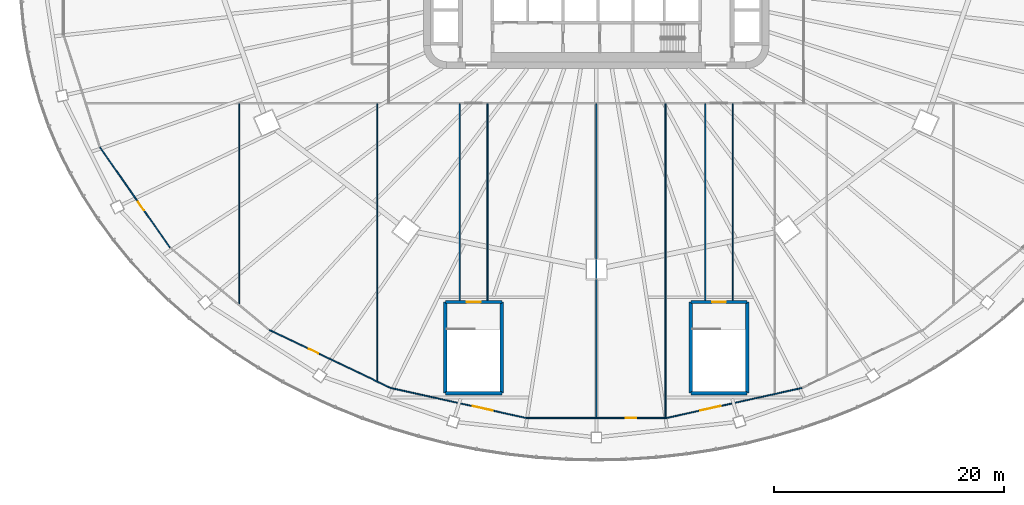
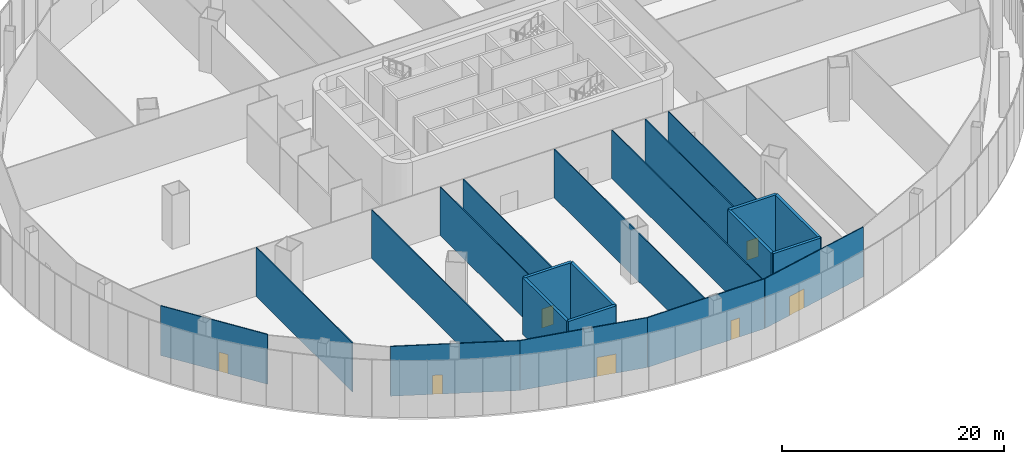
# One storey, part 19 of 33: 21 walls, 7 doors, 7 openings.
"""IFC4 building model written with IfcOpenShell, lengths in metres."""

from ifc_helpers import new_model, si_unit, direction, frame, frame_2d, origin, place, context, subcontext, project, spatial, rectangle, extrude, material, layer, layer_set, type_object, element, fill, save


model = new_model("IFC4")

# Units and contexts
model_context = context("Model", 3, precision=1e-05, world=origin(), true_north=direction((0.0, 1.0)))
body_context = subcontext(model_context, "Body", "Model", "MODEL_VIEW")
ifc_project = project(units=[si_unit("LENGTHUNIT", "METRE"), si_unit("AREAUNIT", "SQUARE_METRE"), si_unit("VOLUMEUNIT", "CUBIC_METRE"), si_unit("PLANEANGLEUNIT", "RADIAN"), si_unit("MASSUNIT", "GRAM", prefix="KILO")], contexts=[model_context])

# Site, building, storey
site_placement = place(None, origin())
site = spatial("IfcSite", under=ifc_project, at=site_placement, CompositionType="ELEMENT")
building_placement = place(site_placement, origin())
building = spatial("IfcBuilding", under=site, at=building_placement, Name="Sahrelin Media Tower", CompositionType="ELEMENT")
storey_placement = place(building_placement, frame((0.0, 0.0, 37.39990234375)))
storey = spatial("IfcBuildingStorey", under=building, at=storey_placement, Name="L05", CompositionType="ELEMENT", Elevation=37.39990234375)

# Wall, opening, door
ifc_material_1 = material(Name="Gypsum board partition")
ifc_layer_1 = layer(ifc_material_1, 0.10009765625)
ifc_layer_set_1 = layer_set([ifc_layer_1], Name="Partition 100")
wall_type_1 = type_object("IfcWallType", Name="Partition 100", PredefinedType="PARTITIONING", material=ifc_layer_set_1)
wall_1_placement = place(storey_placement, frame((-43.09912109375, -14.790771484375, 0.0), z_axis=(0.0, 0.0, 1.0), x_axis=(0.571737958261, -0.820436290692, 0.0)))
wall_1 = element("IfcWall", 1, at=wall_1_placement, inside=storey, type_object=wall_type_1, Name="Wall", PredefinedType="PARTITIONING", context=body_context, shape_type="SweptSolid", body=[
    extrude(rectangle(XDim=10.650146484375, YDim=0.10009765625, at=frame_2d((5.3251953125, 0.0))), origin(), (0.0, 0.0, 1.0), 5.47607421875),
])
opening_1_placement = place(wall_1_placement, frame((5.7900390625, 0.0, 0.0)))
opening_1 = element("IfcOpeningElement", 2, at=opening_1_placement, cuts=wall_1, Name="Opening L05-D35", PredefinedType="OPENING", context=body_context, shape_type="SweptSolid", body=[
    extrude(rectangle(XDim=0.89990234375, YDim=2.10009765625, at=frame_2d((0.449951171875, 1.050048828125))), frame((0.0, 0.050048828125, 0.0), z_axis=(0.0, -1.0, 0.0), x_axis=(1.0, 0.0, 0.0)), (0.0, 0.0, 1.0), 0.10009765625),
])
ifc_material_2 = material(Name="Timber door leaf", Category="wood")
door_type_1 = type_object("IfcDoorType", Name="Single door 900 x 2100", OperationType="NOTDEFINED", PredefinedType="DOOR", material=ifc_material_2)
door_1_placement = place(opening_1_placement, origin())
door_1 = element("IfcDoor", 3, at=door_1_placement, inside=storey, type_object=door_type_1, Name="Single door", OperationType="SINGLE_SWING_RIGHT", OverallHeight=2.10009765625, OverallWidth=0.89990234375, PredefinedType="DOOR", context=body_context, shape_type="SweptSolid", body=[
    extrude(rectangle(XDim=0.89990234375, YDim=2.10009765625, at=frame_2d((0.449951171875, 1.050048828125))), frame((0.0, 0.02490234375, 0.0), z_axis=(0.0, -1.0, 0.0), x_axis=(1.0, 0.0, 0.0)), (0.0, 0.0, 1.0), 0.050048828125),
])
fill(opening_1, door_1)

wall_2_placement = place(storey_placement, frame((-28.398681640625, -30.6630859375, 0.0), z_axis=(0.0, 0.0, 1.0), x_axis=(0.902100999032, -0.431524955878, 0.0)))
wall_2 = element("IfcWall", 4, at=wall_2_placement, inside=storey, type_object=wall_type_1, Name="Wall", PredefinedType="PARTITIONING", context=body_context, shape_type="SweptSolid", body=[
    extrude(rectangle(XDim=11.69091796875, YDim=0.10009765625, at=frame_2d((5.845458984375, 0.0))), origin(), (0.0, 0.0, 1.0), 5.47607421875),
])
opening_2_placement = place(wall_2_placement, frame((3.820068359375, 0.0, 0.0)))
opening_2 = element("IfcOpeningElement", 5, at=opening_2_placement, cuts=wall_2, Name="Opening L05-D36", PredefinedType="OPENING", context=body_context, shape_type="SweptSolid", body=[
    extrude(rectangle(XDim=0.89990234375, YDim=2.10009765625, at=frame_2d((0.449951171875, 1.050048828125))), frame((0.0, 0.050048828125, 0.0), z_axis=(0.0, -1.0, 0.0), x_axis=(1.0, 0.0, 0.0)), (0.0, 0.0, 1.0), 0.10009765625),
])
door_2_placement = place(opening_2_placement, origin())
door_2 = element("IfcDoor", 6, at=door_2_placement, inside=storey, type_object=door_type_1, Name="Single door", OperationType="SINGLE_SWING_LEFT", OverallHeight=2.10009765625, OverallWidth=0.89990234375, PredefinedType="DOOR", context=body_context, shape_type="SweptSolid", body=[
    extrude(rectangle(XDim=0.89990234375, YDim=2.10009765625, at=frame_2d((0.449951171875, 1.050048828125))), frame((0.0, 0.02490234375, 0.0), z_axis=(0.0, -1.0, 0.0), x_axis=(1.0, 0.0, 0.0)), (0.0, 0.0, 1.0), 0.050048828125),
])
fill(opening_2, door_2)

wall_3_placement = place(storey_placement, frame((-17.852294921875, -35.7080078125, 0.0), z_axis=(0.0, 0.0, 1.0), x_axis=(0.97623471049, -0.216715920124, 0.0)))
wall_3 = element("IfcWall", 7, at=wall_3_placement, inside=storey, type_object=wall_type_1, Name="Wall", PredefinedType="PARTITIONING", context=body_context, shape_type="SweptSolid", body=[
    extrude(rectangle(XDim=12.049560546875, YDim=0.10009765625, at=frame_2d((6.02490234375, 0.0))), origin(), (0.0, 0.0, 1.0), 5.47607421875),
])
opening_3_placement = place(wall_3_placement, frame((7.2958984375, 0.0, 0.0)))
opening_3 = element("IfcOpeningElement", 8, at=opening_3_placement, cuts=wall_3, Name="Opening L05-D38", PredefinedType="OPENING", context=body_context, shape_type="SweptSolid", body=[
    extrude(rectangle(XDim=1.800048828125, YDim=2.10009765625, at=frame_2d((0.89990234375, 1.050048828125))), frame((0.0, 0.050048828125, 0.0), z_axis=(0.0, -1.0, 0.0), x_axis=(1.0, 0.0, 0.0)), (0.0, 0.0, 1.0), 0.10009765625),
])
door_type_2 = type_object("IfcDoorType", Name="Double door 1800 x 2100", OperationType="DOUBLE_DOOR_SINGLE_SWING", PredefinedType="DOOR", material=ifc_material_2)
door_3_placement = place(opening_3_placement, origin())
door_3 = element("IfcDoor", 9, at=door_3_placement, inside=storey, type_object=door_type_2, Name="Double door", OperationType="DOUBLE_DOOR_SINGLE_SWING", OverallHeight=2.10009765625, OverallWidth=1.800048828125, PredefinedType="DOOR", context=body_context, shape_type="SweptSolid", body=[
    extrude(rectangle(XDim=1.800048828125, YDim=2.10009765625, at=frame_2d((0.89990234375, 1.050048828125))), frame((0.0, 0.02490234375, 0.0), z_axis=(0.0, -1.0, 0.0), x_axis=(1.0, 0.0, 0.0)), (0.0, 0.0, 1.0), 0.050048828125),
])
fill(opening_3, door_3)

wall_4_placement = place(storey_placement, frame((-6.089111328125, -38.3193359375, 0.0), z_axis=(0.0, 0.0, 1.0), x_axis=(1.0, 0.0, 0.0)))
wall_4 = element("IfcWall", 10, at=wall_4_placement, inside=storey, type_object=wall_type_1, Name="Wall", PredefinedType="PARTITIONING", context=body_context, shape_type="SweptSolid", body=[
    extrude(rectangle(XDim=12.17822265625, YDim=0.10009765625, at=frame_2d((6.089111328125, 0.0))), origin(), (0.0, 0.0, 1.0), 5.47607421875),
])
opening_4_placement = place(wall_4_placement, frame((8.64990234375, 0.0, 0.0)))
opening_4 = element("IfcOpeningElement", 11, at=opening_4_placement, cuts=wall_4, Name="Opening L05-D40", PredefinedType="OPENING", context=body_context, shape_type="SweptSolid", body=[
    extrude(rectangle(XDim=0.89990234375, YDim=2.10009765625, at=frame_2d((0.449951171875, 1.050048828125))), frame((0.0, 0.050048828125, 0.0), z_axis=(0.0, -1.0, 0.0), x_axis=(1.0, 0.0, 0.0)), (0.0, 0.0, 1.0), 0.10009765625),
])
door_4_placement = place(opening_4_placement, origin())
door_4 = element("IfcDoor", 12, at=door_4_placement, inside=storey, type_object=door_type_1, Name="Single door", OperationType="SINGLE_SWING_RIGHT", OverallHeight=2.10009765625, OverallWidth=0.89990234375, PredefinedType="DOOR", context=body_context, shape_type="SweptSolid", body=[
    extrude(rectangle(XDim=0.89990234375, YDim=2.10009765625, at=frame_2d((0.449951171875, 1.050048828125))), frame((0.0, 0.02490234375, 0.0), z_axis=(0.0, -1.0, 0.0), x_axis=(1.0, 0.0, 0.0)), (0.0, 0.0, 1.0), 0.050048828125),
])
fill(opening_4, door_4)

wall_5_placement = place(storey_placement, frame((6.089111328125, -38.3193359375, 0.0), z_axis=(0.0, 0.0, 1.0), x_axis=(0.97623471049, 0.216715920124, 0.0)))
wall_5 = element("IfcWall", 13, at=wall_5_placement, inside=storey, type_object=wall_type_1, Name="Wall", PredefinedType="PARTITIONING", context=body_context, shape_type="SweptSolid", body=[
    extrude(rectangle(XDim=12.049560546875, YDim=0.10009765625, at=frame_2d((6.02490234375, 0.0))), origin(), (0.0, 0.0, 1.0), 5.47607421875),
])
opening_5_placement = place(wall_5_placement, frame((3.0, 0.0, 0.0)))
opening_5 = element("IfcOpeningElement", 14, at=opening_5_placement, cuts=wall_5, Name="Opening L05-D42", PredefinedType="OPENING", context=body_context, shape_type="SweptSolid", body=[
    extrude(rectangle(XDim=1.800048828125, YDim=2.10009765625, at=frame_2d((0.89990234375, 1.050048828125))), frame((0.0, 0.050048828125, 0.0), z_axis=(0.0, -1.0, 0.0), x_axis=(1.0, 0.0, 0.0)), (0.0, 0.0, 1.0), 0.10009765625),
])
door_5_placement = place(opening_5_placement, origin())
door_5 = element("IfcDoor", 15, at=door_5_placement, inside=storey, type_object=door_type_2, Name="Double door", OperationType="DOUBLE_DOOR_SINGLE_SWING", OverallHeight=2.10009765625, OverallWidth=1.800048828125, PredefinedType="DOOR", context=body_context, shape_type="SweptSolid", body=[
    extrude(rectangle(XDim=1.800048828125, YDim=2.10009765625, at=frame_2d((0.89990234375, 1.050048828125))), frame((0.0, 0.02490234375, 0.0), z_axis=(0.0, -1.0, 0.0), x_axis=(1.0, 0.0, 0.0)), (0.0, 0.0, 1.0), 0.050048828125),
])
fill(opening_5, door_5)

# Walls
wall_6_placement = place(storey_placement, frame((-31.0, -11.050048828125, 0.0), z_axis=(0.0, 0.0, 1.0), x_axis=(0.0, -1.0, 0.0)))
element("IfcWall", 16, at=wall_6_placement, inside=storey, type_object=wall_type_1, Name="Wall", PredefinedType="PARTITIONING", context=body_context, shape_type="SweptSolid", body=[
    extrude(rectangle(XDim=17.3515625, YDim=0.10009765625, at=frame_2d((8.67578125, 0.0))), origin(), (0.0, 0.0, 1.0), 5.39501953125),
])
wall_7_placement = place(storey_placement, frame((-19.0, -11.050048828125, 0.0), z_axis=(0.0, 0.0, 1.0), x_axis=(0.0, -1.0, 0.0)))
element("IfcWall", 17, at=wall_7_placement, inside=storey, type_object=wall_type_1, Name="Wall", PredefinedType="PARTITIONING", context=body_context, shape_type="SweptSolid", body=[
    extrude(rectangle(XDim=24.029541015625, YDim=0.10009765625, at=frame_2d((12.0146484375, 0.0))), origin(), (0.0, 0.0, 1.0), 5.3271484375),
])
wall_8_placement = place(storey_placement, frame((0.0, -11.050048828125, 0.0), z_axis=(0.0, 0.0, 1.0), x_axis=(0.0, -1.0, 0.0)))
element("IfcWall", 18, at=wall_8_placement, inside=storey, type_object=wall_type_1, Name="Wall", PredefinedType="PARTITIONING", context=body_context, shape_type="SweptSolid", body=[
    extrude(rectangle(XDim=27.21923828125, YDim=0.10009765625, at=frame_2d((13.609619140625, 0.0))), origin(), (0.0, 0.0, 1.0), 5.3271484375),
])
wall_9_placement = place(storey_placement, frame((6.0, -11.050048828125, 0.0), z_axis=(0.0, 0.0, 1.0), x_axis=(0.0, -1.0, 0.0)))
element("IfcWall", 19, at=wall_9_placement, inside=storey, type_object=wall_type_1, Name="Wall", PredefinedType="PARTITIONING", context=body_context, shape_type="SweptSolid", body=[
    extrude(rectangle(XDim=27.21923828125, YDim=0.10009765625, at=frame_2d((13.609619140625, 0.0))), origin(), (0.0, 0.0, 1.0), 5.318359375),
])
for number, where, z_axis, x_axis, name in (
    (20, (-11.85009765625, -11.050048828125, 0.0), (0.0, 0.0, 1.0), (0.0, -1.0, 0.0), "Wall"),
    (21, (-9.449951171875, -11.050048828125, 0.0), (0.0, 0.0, 1.0), (0.0, -1.0, 0.0), "Wall"),
    (22, (9.449951171875, -11.050048828125, 0.0), (0.0, 0.0, 1.0), (0.0, -1.0, 0.0), "Wall"),
    (23, (11.85009765625, -11.050048828125, 0.0), (0.0, 0.0, 1.0), (0.0, -1.0, 0.0), "Wall"),
):
    element("IfcWall", number, at=place(storey_placement, frame(where, z_axis=z_axis, x_axis=x_axis)), inside=storey, type_object=wall_type_1, Name=name, PredefinedType="PARTITIONING", context=body_context, shape_type="SweptSolid", body=[
        extrude(rectangle(XDim=17.050048828125, YDim=0.10009765625, at=frame_2d((8.52490234375, 0.0))), origin(), (0.0, 0.0, 1.0), 5.318359375),
    ])
ifc_material_3 = material(Name="Concrete C60/75", Category="concrete")
ifc_layer_2 = layer(ifc_material_3, 0.300048828125)
ifc_layer_set_2 = layer_set([ifc_layer_2], Name="Stair enclosure wall 300")
wall_type_2 = type_object("IfcWallType", Name="Stair enclosure wall 300", PredefinedType="SOLIDWALL", material=ifc_layer_set_2)
wall_10_placement = place(storey_placement, frame((-8.199951171875, -36.14990234375, 0.0), z_axis=(0.0, 0.0, 1.0), x_axis=(-1.0, 0.0, 0.0)))
element("IfcWall", 24, at=wall_10_placement, inside=storey, type_object=wall_type_2, Name="Stair PS3", PredefinedType="SOLIDWALL", context=body_context, shape_type="SweptSolid", body=[
    extrude(rectangle(XDim=4.900146484375, YDim=0.300048828125, at=frame_2d((2.4501953125, 0.0))), origin(), (0.0, 0.0, 1.0), 6.25),
])
wall_11_placement = place(storey_placement, frame((-13.10009765625, -36.14990234375, 0.0), z_axis=(0.0, 0.0, 1.0), x_axis=(0.0, 1.0, 0.0)))
element("IfcWall", 25, at=wall_11_placement, inside=storey, type_object=wall_type_2, Name="Stair PS3", PredefinedType="SOLIDWALL", context=body_context, shape_type="SweptSolid", body=[
    extrude(rectangle(XDim=7.89990234375, YDim=0.300048828125, at=frame_2d((3.949951171875, 0.0))), origin(), (0.0, 0.0, 1.0), 6.25),
])

# Wall, opening, door
wall_12_placement = place(storey_placement, frame((-13.10009765625, -28.25, 0.0), z_axis=(0.0, 0.0, 1.0), x_axis=(1.0, 0.0, 0.0)))
wall_12 = element("IfcWall", 26, at=wall_12_placement, inside=storey, type_object=wall_type_2, Name="Stair PS3", PredefinedType="SOLIDWALL", context=body_context, shape_type="SweptSolid", body=[
    extrude(rectangle(XDim=4.900146484375, YDim=0.300048828125, at=frame_2d((2.4501953125, 0.0))), origin(), (0.0, 0.0, 1.0), 6.25),
])
opening_6_placement = place(wall_12_placement, frame((1.85009765625, 0.0, 0.0)))
opening_6 = element("IfcOpeningElement", 27, at=opening_6_placement, cuts=wall_12, Name="Opening L05-D58", PredefinedType="OPENING", context=body_context, shape_type="SweptSolid", body=[
    extrude(rectangle(XDim=1.199951171875, YDim=2.10009765625, at=frame_2d((0.60009765625, 1.050048828125))), frame((0.0, 0.14990234375, 0.0), z_axis=(0.0, -1.0, 0.0), x_axis=(1.0, 0.0, 0.0)), (0.0, 0.0, 1.0), 0.300048828125),
])
ifc_material_4 = material(Name="Steel fire door leaf", Category="steel")
door_type_3 = type_object("IfcDoorType", Name="Stair door 1200 x 2100 EI 120", OperationType="NOTDEFINED", PredefinedType="DOOR", material=ifc_material_4)
door_6_placement = place(opening_6_placement, origin())
door_6 = element("IfcDoor", 28, at=door_6_placement, inside=storey, type_object=door_type_3, Name="Stair door", OperationType="SINGLE_SWING_RIGHT", OverallHeight=2.10009765625, OverallWidth=1.199951171875, PredefinedType="DOOR", context=body_context, shape_type="SweptSolid", body=[
    extrude(rectangle(XDim=1.199951171875, YDim=2.10009765625, at=frame_2d((0.60009765625, 1.050048828125))), frame((0.0, 0.02490234375, 0.0), z_axis=(0.0, -1.0, 0.0), x_axis=(1.0, 0.0, 0.0)), (0.0, 0.0, 1.0), 0.050048828125),
])
fill(opening_6, door_6)

# Walls
wall_13_placement = place(storey_placement, frame((-8.199951171875, -28.25, 0.0), z_axis=(0.0, 0.0, 1.0), x_axis=(0.0, -1.0, 0.0)))
element("IfcWall", 29, at=wall_13_placement, inside=storey, type_object=wall_type_2, Name="Stair PS3", PredefinedType="SOLIDWALL", context=body_context, shape_type="SweptSolid", body=[
    extrude(rectangle(XDim=7.89990234375, YDim=0.300048828125, at=frame_2d((3.949951171875, 0.0))), origin(), (0.0, 0.0, 1.0), 6.25),
])
wall_14_placement = place(storey_placement, frame((13.10009765625, -36.14990234375, 0.0), z_axis=(0.0, 0.0, 1.0), x_axis=(-1.0, 0.0, 0.0)))
element("IfcWall", 30, at=wall_14_placement, inside=storey, type_object=wall_type_2, Name="Stair PS4", PredefinedType="SOLIDWALL", context=body_context, shape_type="SweptSolid", body=[
    extrude(rectangle(XDim=4.900146484375, YDim=0.300048828125, at=frame_2d((2.4501953125, 0.0))), origin(), (0.0, 0.0, 1.0), 6.25),
])
wall_15_placement = place(storey_placement, frame((8.199951171875, -36.14990234375, 0.0), z_axis=(0.0, 0.0, 1.0), x_axis=(0.0, 1.0, 0.0)))
element("IfcWall", 31, at=wall_15_placement, inside=storey, type_object=wall_type_2, Name="Stair PS4", PredefinedType="SOLIDWALL", context=body_context, shape_type="SweptSolid", body=[
    extrude(rectangle(XDim=7.89990234375, YDim=0.300048828125, at=frame_2d((3.949951171875, 0.0))), origin(), (0.0, 0.0, 1.0), 6.25),
])

# Wall, opening, door
wall_16_placement = place(storey_placement, frame((8.199951171875, -28.25, 0.0), z_axis=(0.0, 0.0, 1.0), x_axis=(1.0, 0.0, 0.0)))
wall_16 = element("IfcWall", 32, at=wall_16_placement, inside=storey, type_object=wall_type_2, Name="Stair PS4", PredefinedType="SOLIDWALL", context=body_context, shape_type="SweptSolid", body=[
    extrude(rectangle(XDim=4.900146484375, YDim=0.300048828125, at=frame_2d((2.4501953125, 0.0))), origin(), (0.0, 0.0, 1.0), 6.25),
])
opening_7_placement = place(wall_16_placement, frame((1.85009765625, 0.0, 0.0)))
opening_7 = element("IfcOpeningElement", 33, at=opening_7_placement, cuts=wall_16, Name="Opening L05-D59", PredefinedType="OPENING", context=body_context, shape_type="SweptSolid", body=[
    extrude(rectangle(XDim=1.199951171875, YDim=2.10009765625, at=frame_2d((0.60009765625, 1.050048828125))), frame((0.0, 0.14990234375, 0.0), z_axis=(0.0, -1.0, 0.0), x_axis=(1.0, 0.0, 0.0)), (0.0, 0.0, 1.0), 0.300048828125),
])
door_7_placement = place(opening_7_placement, origin())
door_7 = element("IfcDoor", 34, at=door_7_placement, inside=storey, type_object=door_type_3, Name="Stair door", OperationType="SINGLE_SWING_RIGHT", OverallHeight=2.10009765625, OverallWidth=1.199951171875, PredefinedType="DOOR", context=body_context, shape_type="SweptSolid", body=[
    extrude(rectangle(XDim=1.199951171875, YDim=2.10009765625, at=frame_2d((0.60009765625, 1.050048828125))), frame((0.0, 0.02490234375, 0.0), z_axis=(0.0, -1.0, 0.0), x_axis=(1.0, 0.0, 0.0)), (0.0, 0.0, 1.0), 0.050048828125),
])
fill(opening_7, door_7)

# Wall
wall_17_placement = place(storey_placement, frame((13.10009765625, -28.25, 0.0), z_axis=(0.0, 0.0, 1.0), x_axis=(0.0, -1.0, 0.0)))
element("IfcWall", 35, at=wall_17_placement, inside=storey, type_object=wall_type_2, Name="Stair PS4", PredefinedType="SOLIDWALL", context=body_context, shape_type="SweptSolid", body=[
    extrude(rectangle(XDim=7.89990234375, YDim=0.300048828125, at=frame_2d((3.949951171875, 0.0))), origin(), (0.0, 0.0, 1.0), 6.25),
])

save(model, "model.ifc")
